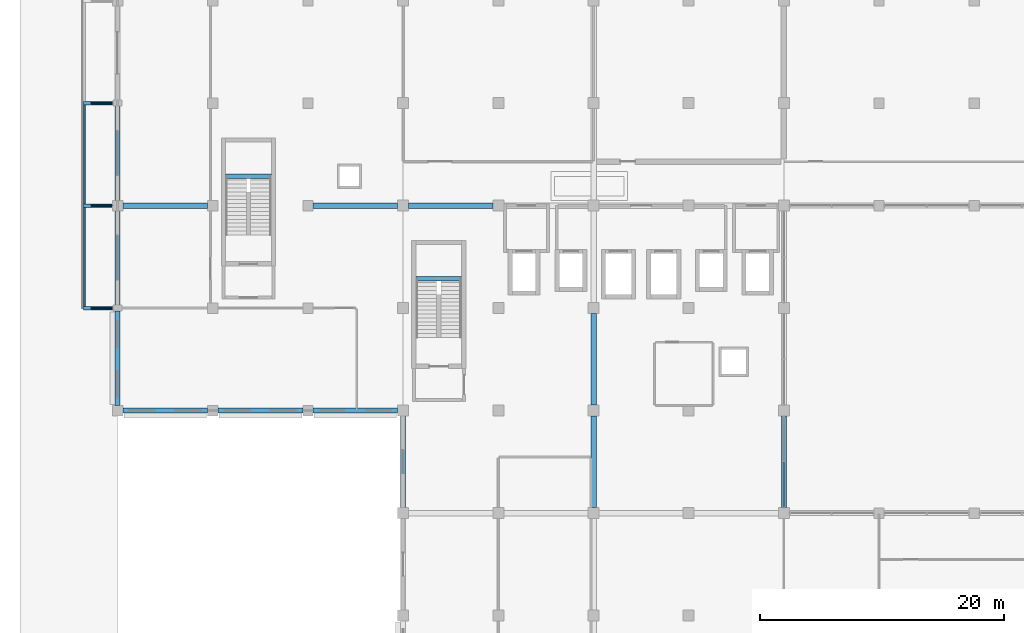
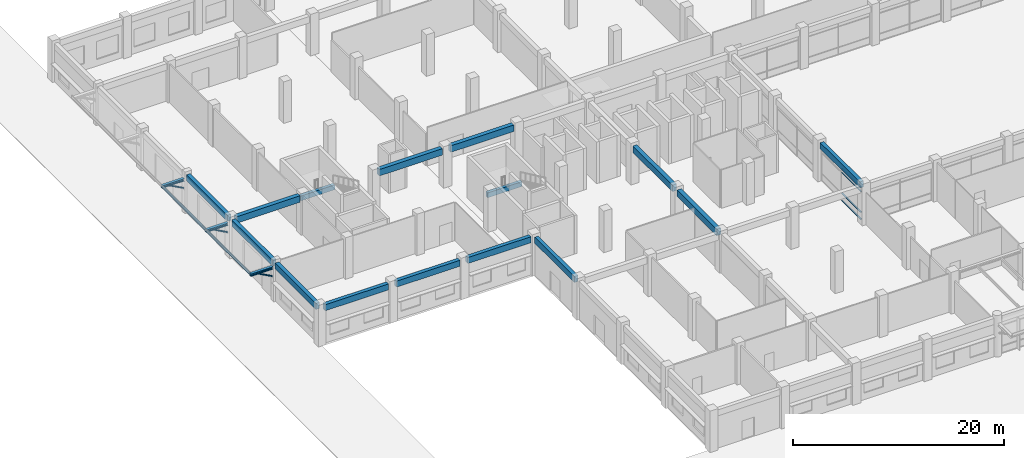
# One storey, part 6 of 74: 20 beams, 7 members, 1 element without a shape of its own.
"""IFC4 building model written with IfcOpenShell, lengths in metres."""

from ifc_helpers import new_model, si_unit, direction, frame, origin, origin_2d, place, context, subcontext, project, spatial, rectangle, hollow_rectangle, hollow_circle, i_section, extrude, material, material_profile, profile_set, type_object, element, aggregate, save


model = new_model("IFC4")

# Units and contexts
model_context = context("Model", 3, precision=1e-05, world=origin(), true_north=direction((0.0, 1.0)))
body_context = subcontext(model_context, "Body", "Model", "MODEL_VIEW")
ifc_project = project(units=[si_unit("LENGTHUNIT", "METRE"), si_unit("AREAUNIT", "SQUARE_METRE"), si_unit("VOLUMEUNIT", "CUBIC_METRE"), si_unit("PLANEANGLEUNIT", "RADIAN"), si_unit("MASSUNIT", "GRAM", prefix="KILO"), si_unit("THERMODYNAMICTEMPERATUREUNIT", "KELVIN"), si_unit("POWERUNIT", "WATT")], contexts=[model_context])

# Site, building, storey
site_placement = place(None, origin())
site = spatial("IfcSite", under=ifc_project, at=site_placement, CompositionType="ELEMENT")
building_placement = place(site_placement, origin())
building = spatial("IfcBuilding", under=site, at=building_placement, Name="Srebrne Nadtorze General Hospital", CompositionType="ELEMENT")
storey_placement = place(building_placement, origin())
storey = spatial("IfcBuildingStorey", under=building, at=storey_placement, Name="L00", CompositionType="ELEMENT", Elevation=0.0)

# Members
ifc_material_1 = material(Name="Steel S355J2", Category="steel")
ifc_material_profile_1 = material_profile(ifc_material_1, hollow_circle(Radius=0.084228515625, WallThickness=0.00634765625, at=origin_2d()), Name="CHS-168.3x6.3")
ifc_profile_set_1 = profile_set([ifc_material_profile_1], Name="Steel S355J2")
member_type_1 = type_object("IfcMemberType", Name="Canopy strut CHS 168.3x6.3", PredefinedType="STRUT", material=ifc_profile_set_1)
member_1_placement = place(storey_placement, frame((-0.386962890625, 42.0, 2.85009765625), z_axis=(-0.879311089654, 0.0, 0.476247842631), x_axis=(0.0, -1.0, 0.0)))
element("IfcMember", 1, at=member_1_placement, inside=storey, type_object=member_type_1, Name="Emergency ambulance canopy strut 1", PredefinedType="STRUT", context=body_context, shape_type="SweptSolid", body=[
    extrude(hollow_circle(Radius=0.084228515625, WallThickness=0.00634765625, at=origin_2d()), origin(), (0.0, 0.0, 1.0), 2.0048828125),
])
member_2_placement = place(storey_placement, frame((-0.43701171875, 50.39990234375, 2.85009765625), z_axis=(-0.873457554333, 0.0, 0.486900298602), x_axis=(0.0, -1.0, 0.0)))
element("IfcMember", 2, at=member_2_placement, inside=storey, type_object=member_type_1, Name="Emergency ambulance canopy strut 2", PredefinedType="STRUT", context=body_context, shape_type="SweptSolid", body=[
    extrude(hollow_circle(Radius=0.084228515625, WallThickness=0.00634765625, at=origin_2d()), origin(), (0.0, 0.0, 1.0), 1.9609375),
])
member_3_placement = place(storey_placement, frame((-0.386962890625, 58.800048828125, 2.85009765625), z_axis=(-0.879311089654, 0.0, 0.476247842631), x_axis=(0.0, -1.0, 0.0)))
element("IfcMember", 3, at=member_3_placement, inside=storey, type_object=member_type_1, Name="Emergency ambulance canopy strut 3", PredefinedType="STRUT", context=body_context, shape_type="SweptSolid", body=[
    extrude(hollow_circle(Radius=0.084228515625, WallThickness=0.00634765625, at=origin_2d()), origin(), (0.0, 0.0, 1.0), 2.0048828125),
])

# Curtain wall, members
ifc_material_2 = material(Name="Anodised Aluminium", Category="aluminium")
curtain_wall_type = type_object("IfcCurtainWallType", Name="Unitised curtain wall 7500x3750", PredefinedType="NOTDEFINED", material=ifc_material_2)
curtain_wall_placement = place(storey_placement, origin())
curtain_wall = element("IfcCurtainWall", 4, at=curtain_wall_placement, inside=storey, type_object=curtain_wall_type, Name="Curtain wall CW-019", PredefinedType="NOTDEFINED")
ifc_material_3 = material(Name="Anodised Aluminium", Category="aluminium")
ifc_material_profile_2 = material_profile(ifc_material_3, hollow_rectangle(XDim=0.06494140625, YDim=0.139892578125, WallThickness=0.00390625, at=origin_2d()), Name="AL-TRN-65x140")
ifc_profile_set_2 = profile_set([ifc_material_profile_2], Name="Anodised Aluminium")
member_type_2 = type_object("IfcMemberType", Name="Curtain transom 65x140", PredefinedType="USERDEFINED", material=ifc_profile_set_2)
member_4_placement = place(storey_placement, frame((54.60009765625, 25.715087890625, 0.032470703125), z_axis=(0.0, 1.0, 0.0), x_axis=(0.0, 0.0, 1.0)))
member_4 = element("IfcMember", 5, at=member_4_placement, type_object=member_type_2, Name="CW-019 transom 1.1", ObjectType="TRANSOM", PredefinedType="USERDEFINED", context=body_context, shape_type="SweptSolid", body=[
    extrude(hollow_rectangle(XDim=0.06494140625, YDim=0.139892578125, WallThickness=0.00390625, at=origin_2d()), origin(), (0.0, 0.0, 1.0), 3.65234375),
])
member_5_placement = place(storey_placement, frame((54.60009765625, 25.715087890625, 0.85009765625), z_axis=(0.0, 1.0, 0.0), x_axis=(0.0, 0.0, 1.0)))
member_5 = element("IfcMember", 6, at=member_5_placement, type_object=member_type_2, Name="CW-019 transom 1.2", ObjectType="TRANSOM", PredefinedType="USERDEFINED", context=body_context, shape_type="SweptSolid", body=[
    extrude(hollow_rectangle(XDim=0.06494140625, YDim=0.139892578125, WallThickness=0.00390625, at=origin_2d()), origin(), (0.0, 0.0, 1.0), 3.65234375),
])
member_6_placement = place(storey_placement, frame((54.60009765625, 25.715087890625, 3.25), z_axis=(0.0, 1.0, 0.0), x_axis=(0.0, 0.0, 1.0)))
member_6 = element("IfcMember", 7, at=member_6_placement, type_object=member_type_2, Name="CW-019 transom 1.3", ObjectType="TRANSOM", PredefinedType="USERDEFINED", context=body_context, shape_type="SweptSolid", body=[
    extrude(hollow_rectangle(XDim=0.06494140625, YDim=0.139892578125, WallThickness=0.00390625, at=origin_2d()), origin(), (0.0, 0.0, 1.0), 3.65234375),
])
member_7_placement = place(storey_placement, frame((54.60009765625, 25.715087890625, 3.717529296875), z_axis=(0.0, 1.0, 0.0), x_axis=(0.0, 0.0, 1.0)))
member_7 = element("IfcMember", 8, at=member_7_placement, type_object=member_type_2, Name="CW-019 transom 1.4", ObjectType="TRANSOM", PredefinedType="USERDEFINED", context=body_context, shape_type="SweptSolid", body=[
    extrude(hollow_rectangle(XDim=0.06494140625, YDim=0.139892578125, WallThickness=0.00390625, at=origin_2d()), origin(), (0.0, 0.0, 1.0), 3.65234375),
])
aggregate(curtain_wall, [member_4, member_5, member_6, member_7])

# Beams
ifc_material_4 = material(Name="Concrete C40/50", Category="concrete")
ifc_material_profile_3 = material_profile(ifc_material_4, rectangle(XDim=0.39990234375, YDim=0.699951171875, at=origin_2d()), Name="RC-BM-400x700")
ifc_profile_set_3 = profile_set([ifc_material_profile_3], Name="Concrete C40/50")
beam_type_1 = type_object("IfcBeamType", Name="Edge beam RC 400x700", PredefinedType="BEAM", material=ifc_profile_set_3)
for number, where, z_axis, x_axis, name in (
    (9, (0.425048828125, 33.60009765625, 4.10009765625), (1.0, 0.0, 0.0), (0.0, 1.0, 0.0), "Beam BM-L00-X-0215"),
    (10, (8.22509765625, 33.60009765625, 4.10009765625), (1.0, 0.0, 0.0), (0.0, 1.0, 0.0), "Beam BM-L00-X-0216"),
):
    element("IfcBeam", number, at=place(storey_placement, frame(where, z_axis=z_axis, x_axis=x_axis)), inside=storey, type_object=beam_type_1, Name=name, PredefinedType="BEAM", context=body_context, shape_type="SweptSolid", body=[
        extrude(rectangle(XDim=0.39990234375, YDim=0.699951171875, at=origin_2d()), origin(), (0.0, 0.0, 1.0), 6.949951171875),
    ])
beam_1_placement = place(storey_placement, frame((16.02490234375, 33.60009765625, 4.10009765625), z_axis=(1.0, 0.0, 0.0), x_axis=(0.0, 1.0, 0.0)))
element("IfcBeam", 11, at=beam_1_placement, inside=storey, type_object=beam_type_1, Name="Beam BM-L00-X-0217", PredefinedType="BEAM", context=body_context, shape_type="SweptSolid", body=[
    extrude(rectangle(XDim=0.39990234375, YDim=0.699951171875, at=origin_2d()), origin(), (0.0, 0.0, 1.0), 6.925048828125),
])
for number, where, z_axis, x_axis, name in (
    (12, (0.0, 34.02490234375, 4.10009765625), (0.0, 1.0, 0.0), (-1.0, 0.0, 0.0), "Beam BM-L00-Y-0280"),
    (13, (0.0, 42.25, 4.10009765625), (0.0, 1.0, 0.0), (-1.0, 0.0, 0.0), "Beam BM-L00-Y-0281"),
    (14, (0.0, 50.824951171875, 4.10009765625), (0.0, 1.0, 0.0), (-1.0, 0.0, 0.0), "Beam BM-L00-Y-0282"),
):
    element("IfcBeam", number, at=place(storey_placement, frame(where, z_axis=z_axis, x_axis=x_axis)), inside=storey, type_object=beam_type_1, Name=name, PredefinedType="BEAM", context=body_context, shape_type="SweptSolid", body=[
        extrude(rectangle(XDim=0.39990234375, YDim=0.699951171875, at=origin_2d()), origin(), (0.0, 0.0, 1.0), 7.72509765625),
    ])
for number, where, z_axis, x_axis, name in (
    (15, (23.39990234375, 25.64990234375, 4.10009765625), (0.0, 1.0, 0.0), (-1.0, 0.0, 0.0), "Beam BM-L00-Y-0289"),
    (16, (54.60009765625, 25.64990234375, 4.10009765625), (0.0, 1.0, 0.0), (-1.0, 0.0, 0.0), "Beam BM-L00-Y-0308"),
):
    element("IfcBeam", number, at=place(storey_placement, frame(where, z_axis=z_axis, x_axis=x_axis)), inside=storey, type_object=beam_type_1, Name=name, PredefinedType="BEAM", context=body_context, shape_type="SweptSolid", body=[
        extrude(rectangle(XDim=0.39990234375, YDim=0.699951171875, at=origin_2d()), origin(), (0.0, 0.0, 1.0), 7.5),
    ])
ifc_material_5 = material(Name="Steel S355J2", Category="steel")
ifc_material_profile_4 = material_profile(ifc_material_5, hollow_rectangle(XDim=0.14990234375, YDim=0.25, WallThickness=0.010009765625, InnerFilletRadius=0.010009765625, OuterFilletRadius=0.014892578125, at=origin_2d()), Name="RHS-250x150x10")
ifc_profile_set_4 = profile_set([ifc_material_profile_4], Name="Steel S355J2")
beam_type_2 = type_object("IfcBeamType", Name="Hollow canopy beam RHS 250x150x10", PredefinedType="HOLLOWCORE", material=ifc_profile_set_4)
beam_2_placement = place(storey_placement, frame((-2.719970703125, 42.139892578125, 3.875), z_axis=(0.0, 1.0, 0.0), x_axis=(-1.0, 0.0, 0.0)))
element("IfcBeam", 17, at=beam_2_placement, inside=storey, type_object=beam_type_2, Name="Emergency ambulance canopy fascia beam 1", PredefinedType="HOLLOWCORE", context=body_context, shape_type="SweptSolid", body=[
    extrude(hollow_rectangle(XDim=0.14990234375, YDim=0.25, WallThickness=0.010009765625, InnerFilletRadius=0.010009765625, OuterFilletRadius=0.014892578125, at=origin_2d()), origin(), (0.0, 0.0, 1.0), 8.1201171875),
])
beam_3_placement = place(storey_placement, frame((-2.719970703125, 50.5400390625, 3.875), z_axis=(0.0, 1.0, 0.0), x_axis=(-1.0, 0.0, 0.0)))
element("IfcBeam", 18, at=beam_3_placement, inside=storey, type_object=beam_type_2, Name="Emergency ambulance canopy fascia beam 2", PredefinedType="HOLLOWCORE", context=body_context, shape_type="SweptSolid", body=[
    extrude(hollow_rectangle(XDim=0.14990234375, YDim=0.25, WallThickness=0.010009765625, InnerFilletRadius=0.010009765625, OuterFilletRadius=0.014892578125, at=origin_2d()), origin(), (0.0, 0.0, 1.0), 8.119873046875),
])
ifc_material_6 = material(Name="Steel S355J2", Category="steel")
ifc_material_profile_5 = material_profile(ifc_material_6, i_section(OverallWidth=0.300048828125, OverallDepth=0.2900390625, WebThickness=0.008544921875, FlangeThickness=0.013916015625, FilletRadius=0.027099609375, at=origin_2d()), Name="HEA-300")
ifc_profile_set_5 = profile_set([ifc_material_profile_5], Name="Steel S355J2")
beam_type_3 = type_object("IfcBeamType", Name="Primary beam HEA 300", PredefinedType="BEAM", material=ifc_profile_set_5)
beam_4_placement = place(storey_placement, frame((-0.364990234375, 42.0, 3.85498046875), z_axis=(-1.0, 0.0, 0.0), x_axis=(0.0, -1.0, 0.0)))
element("IfcBeam", 19, at=beam_4_placement, inside=storey, type_object=beam_type_3, Name="Emergency ambulance canopy girder 1", PredefinedType="BEAM", context=body_context, shape_type="SweptSolid", body=[
    extrude(i_section(OverallWidth=0.300048828125, OverallDepth=0.2900390625, WebThickness=0.008544921875, FlangeThickness=0.013916015625, FilletRadius=0.027099609375, at=origin_2d()), origin(), (0.0, 0.0, 1.0), 2.43505859375),
])
beam_5_placement = place(storey_placement, frame((-0.4150390625, 50.39990234375, 3.85498046875), z_axis=(-1.0, 0.0, 0.0), x_axis=(0.0, -1.0, 0.0)))
element("IfcBeam", 20, at=beam_5_placement, inside=storey, type_object=beam_type_3, Name="Emergency ambulance canopy girder 2", PredefinedType="BEAM", context=body_context, shape_type="SweptSolid", body=[
    extrude(i_section(OverallWidth=0.300048828125, OverallDepth=0.2900390625, WebThickness=0.008544921875, FlangeThickness=0.013916015625, FilletRadius=0.027099609375, at=origin_2d()), origin(), (0.0, 0.0, 1.0), 2.385009765625),
])
beam_6_placement = place(storey_placement, frame((-0.364990234375, 58.800048828125, 3.85498046875), z_axis=(-1.0, 0.0, 0.0), x_axis=(0.0, -1.0, 0.0)))
element("IfcBeam", 21, at=beam_6_placement, inside=storey, type_object=beam_type_3, Name="Emergency ambulance canopy girder 3", PredefinedType="BEAM", context=body_context, shape_type="SweptSolid", body=[
    extrude(i_section(OverallWidth=0.300048828125, OverallDepth=0.2900390625, WebThickness=0.008544921875, FlangeThickness=0.013916015625, FilletRadius=0.027099609375, at=origin_2d()), origin(), (0.0, 0.0, 1.0), 2.43505859375),
])
ifc_material_7 = material(Name="Concrete C40/50", Category="concrete")
ifc_material_profile_6 = material_profile(ifc_material_7, rectangle(XDim=0.449951171875, YDim=0.75, at=origin_2d()), Name="RC-BM-450x750")
ifc_profile_set_6 = profile_set([ifc_material_profile_6], Name="Concrete C40/50")
beam_type_4 = type_object("IfcBeamType", Name="Primary beam RC 450x750", PredefinedType="BEAM", material=ifc_profile_set_6)
beam_7_placement = place(storey_placement, frame((0.425048828125, 50.39990234375, 4.074951171875), z_axis=(1.0, 0.0, 0.0), x_axis=(0.0, 1.0, 0.0)))
element("IfcBeam", 22, at=beam_7_placement, inside=storey, type_object=beam_type_4, Name="Beam BM-L00-X-0221", PredefinedType="BEAM", context=body_context, shape_type="SweptSolid", body=[
    extrude(rectangle(XDim=0.449951171875, YDim=0.75, at=origin_2d()), origin(), (0.0, 0.0, 1.0), 6.949951171875),
])
beam_8_placement = place(storey_placement, frame((16.02490234375, 50.39990234375, 4.074951171875), z_axis=(1.0, 0.0, 0.0), x_axis=(0.0, 1.0, 0.0)))
element("IfcBeam", 23, at=beam_8_placement, inside=storey, type_object=beam_type_4, Name="Beam BM-L00-X-0222", PredefinedType="BEAM", context=body_context, shape_type="SweptSolid", body=[
    extrude(rectangle(XDim=0.449951171875, YDim=0.75, at=origin_2d()), origin(), (0.0, 0.0, 1.0), 6.925048828125),
])
beam_9_placement = place(storey_placement, frame((23.85009765625, 50.39990234375, 4.074951171875), z_axis=(1.0, 0.0, 0.0), x_axis=(0.0, 1.0, 0.0)))
element("IfcBeam", 24, at=beam_9_placement, inside=storey, type_object=beam_type_4, Name="Beam BM-L00-X-0223", PredefinedType="BEAM", context=body_context, shape_type="SweptSolid", body=[
    extrude(rectangle(XDim=0.449951171875, YDim=0.75, at=origin_2d()), origin(), (0.0, 0.0, 1.0), 6.89990234375),
])
for number, where, z_axis, x_axis, name in (
    (25, (39.0, 25.64990234375, 4.074951171875), (0.0, 1.0, 0.0), (-1.0, 0.0, 0.0), "Beam BM-L00-Y-0297"),
    (26, (39.0, 34.050048828125, 4.074951171875), (0.0, 1.0, 0.0), (-1.0, 0.0, 0.0), "Beam BM-L00-Y-0298"),
):
    element("IfcBeam", number, at=place(storey_placement, frame(where, z_axis=z_axis, x_axis=x_axis)), inside=storey, type_object=beam_type_4, Name=name, PredefinedType="BEAM", context=body_context, shape_type="SweptSolid", body=[
        extrude(rectangle(XDim=0.449951171875, YDim=0.75, at=origin_2d()), origin(), (0.0, 0.0, 1.0), 7.5),
    ])
ifc_material_8 = material(Name="Concrete C35/45", Category="concrete")
ifc_material_profile_7 = material_profile(ifc_material_8, rectangle(XDim=0.35009765625, YDim=0.550048828125, at=origin_2d()), Name="RC-BM-350x550")
ifc_profile_set_7 = profile_set([ifc_material_profile_7], Name="Concrete C35/45")
beam_type_5 = type_object("IfcBeamType", Name="Spandrel lintel beam RC 350x550", PredefinedType="LINTEL", material=ifc_profile_set_7)
for number, where, z_axis, x_axis, name in (
    (27, (24.449951171875, 44.39990234375, 2.125), (1.0, 0.0, 0.0), (0.0, 1.0, 0.0), "Stair landing header beam ST-01 L00"),
    (28, (8.85009765625, 52.800048828125, 2.125), (1.0, 0.0, 0.0), (0.0, 1.0, 0.0), "Stair landing header beam ST-05 L00"),
):
    element("IfcBeam", number, at=place(storey_placement, frame(where, z_axis=z_axis, x_axis=x_axis)), inside=storey, type_object=beam_type_5, Name=name, PredefinedType="LINTEL", context=body_context, shape_type="SweptSolid", body=[
        extrude(rectangle(XDim=0.35009765625, YDim=0.550048828125, at=origin_2d()), origin(), (0.0, 0.0, 1.0), 3.75),
    ])

save(model, "model.ifc")
